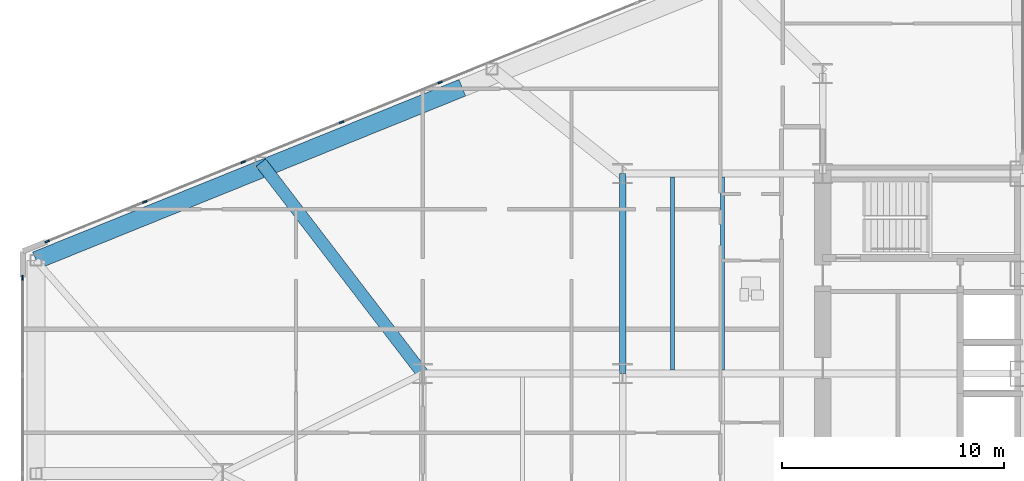
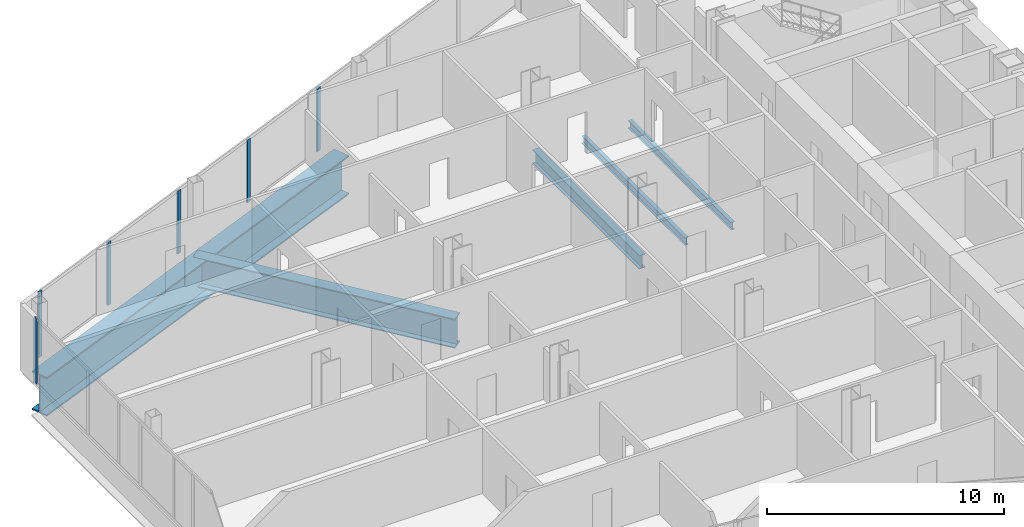
# One storey, part 7 of 26: 6 members, 5 beams, 2 elements without a shape of their own.
"""IFC4 building model written with IfcOpenShell, lengths in metres."""

from ifc_helpers import new_model, si_unit, direction, frame, origin, origin_2d, place, context, subcontext, project, spatial, rectangle, i_section, extrude, source, transform, mapped, material, layer, layer_set, material_profile, profile_set, type_object, type_shapes, element, aggregate, save


model = new_model("IFC4")

# Units and contexts
model_context = context("Model", 3, precision=1e-05, world=origin(), true_north=direction((0.0, 1.0)))
body_context = subcontext(model_context, "Body", "Model", "MODEL_VIEW")
ifc_project = project(units=[si_unit("LENGTHUNIT", "METRE"), si_unit("AREAUNIT", "SQUARE_METRE"), si_unit("VOLUMEUNIT", "CUBIC_METRE"), si_unit("PLANEANGLEUNIT", "RADIAN"), si_unit("MASSUNIT", "GRAM", prefix="KILO")], contexts=[model_context])

# Site, building, storey
site_placement = place(None, origin())
site = spatial("IfcSite", under=ifc_project, at=site_placement, CompositionType="ELEMENT")
building_placement = place(site_placement, origin())
building = spatial("IfcBuilding", under=site, at=building_placement, Name="Seokmaru Belvedere", CompositionType="ELEMENT")
storey_placement = place(building_placement, frame((0.0, 0.0, 18.89990234375)))
storey = spatial("IfcBuildingStorey", under=building, at=storey_placement, Name="L04", CompositionType="ELEMENT", Elevation=18.89990234375)

# Beams
ifc_material_1 = material(Name="Steel SM355 (355 MPa)", Category="steel")
ifc_material_profile_1 = material_profile(ifc_material_1, i_section(OverallWidth=0.300048828125, OverallDepth=0.699951171875, WebThickness=0.012939453125, FlangeThickness=0.02392578125, at=origin_2d()), Name="H-700x300x13x24")
ifc_profile_set_1 = profile_set([ifc_material_profile_1], Name="Steel SM355 (355 MPa)")
beam_type_1 = type_object("IfcBeamType", Name="Primary Floor Girder H-700", PredefinedType="BEAM", material=ifc_profile_set_1)
shared_shape_1 = source(origin(), body_context, "Body", "SweptSolid", [
    extrude(i_section(OverallWidth=0.300048828125, OverallDepth=0.699951171875, WebThickness=0.012939453125, FlangeThickness=0.02392578125, at=origin_2d()), origin(), (0.0, 0.0, 1.0), 9.0),
])
type_shapes(beam_type_1, [shared_shape_1])
beam_1_placement = place(storey_placement, frame((-45.5, 4.5, -0.56982421875), z_axis=(0.0, 1.0, 0.0), x_axis=(-1.0, 0.0, 0.0)))
element("IfcBeam", 1, at=beam_1_placement, inside=storey, type_object=beam_type_1, Name="L04 W Interior Grid Girder 3", PredefinedType="BEAM", context=body_context, shape_type="MappedRepresentation", body=[
    mapped(shared_shape_1, transform((0.0, 0.0, 0.0), scale=1.0)),
])
ifc_material_profile_2 = material_profile(ifc_material_1, i_section(OverallWidth=0.18505859375, OverallDepth=0.389892578125, WebThickness=0.008056640625, FlangeThickness=0.011962890625, at=origin_2d()), Name="H-390x185x8x12")
ifc_profile_set_2 = profile_set([ifc_material_profile_2], Name="Steel SM355 (355 MPa)")
beam_type_2 = type_object("IfcBeamType", Name="Secondary Floor Joist H-350", PredefinedType="JOIST", material=ifc_profile_set_2)
shared_shape_2 = source(origin(), body_context, "Body", "SweptSolid", [
    extrude(i_section(OverallWidth=0.18505859375, OverallDepth=0.389892578125, WebThickness=0.008056640625, FlangeThickness=0.011962890625, at=origin_2d()), origin(), (0.0, 0.0, 1.0), 8.68994140625),
])
type_shapes(beam_type_2, [shared_shape_2])
for number, where, z_axis, x_axis, name in (
    (2, (-43.25, 4.655029296875, -0.414794921875), (0.0, 1.0, 0.0), (-1.0, 0.0, 0.0), "L04 W Wing Inner Secondary Joist 2"),
    (3, (-41.0, 4.655029296875, -0.414794921875), (0.0, 1.0, 0.0), (-1.0, 0.0, 0.0), "L04 W Secondary Floor Joist 3"),
):
    element("IfcBeam", number, at=place(storey_placement, frame(where, z_axis=z_axis, x_axis=x_axis)), inside=storey, type_object=beam_type_2, Name=name, PredefinedType="JOIST", context=body_context, shape_type="MappedRepresentation", body=[
        mapped(shared_shape_2, transform((0.0, 0.0, 0.0), scale=1.0)),
    ])
ifc_material_2 = material(Name="Steel HSA650 (650 MPa)", Category="steel")
ifc_material_profile_3 = material_profile(ifc_material_2, i_section(OverallWidth=0.800048828125, OverallDepth=2.0, WebThickness=0.0400390625, FlangeThickness=0.070068359375, at=origin_2d()), Name="BH-2000x800x40x70")
ifc_profile_set_3 = profile_set([ifc_material_profile_3], Name="Steel HSA650 (650 MPa)")
beam_type_3 = type_object("IfcBeamType", Name="Sky-Gate Transfer Truss Chord Girder BH-2000", PredefinedType="BEAM", material=ifc_profile_set_3)
shared_shape_3 = source(origin(), body_context, "Body", "SweptSolid", [
    extrude(i_section(OverallWidth=0.800048828125, OverallDepth=2.0, WebThickness=0.0400390625, FlangeThickness=0.070068359375, at=origin_2d()), origin(), (0.0, 0.0, 1.0), 20.6962890625),
])
type_shapes(beam_type_3, [shared_shape_3])
beam_2_placement = place(storey_placement, frame((-52.715576171875, 17.360595703125, -1.219970703125), z_axis=(-0.92695003666, -0.37518479385, 0.0), x_axis=(0.37518479385, -0.92695003666, 0.0)))
element("IfcBeam", 4, at=beam_2_placement, inside=storey, type_object=beam_type_3, Name="L04 W Podium Flank Transfer Girder N-B", PredefinedType="BEAM", context=body_context, shape_type="MappedRepresentation", body=[
    mapped(shared_shape_3, transform((0.0, 0.0, 0.0), scale=1.0)),
])
ifc_material_profile_4 = material_profile(ifc_material_2, i_section(OverallWidth=0.550048828125, OverallDepth=1.5, WebThickness=0.028076171875, FlangeThickness=0.044921875, at=origin_2d()), Name="BH-1500x550x28x45")
ifc_profile_set_4 = profile_set([ifc_material_profile_4], Name="Steel HSA650 (650 MPa)")
beam_type_4 = type_object("IfcBeamType", Name="Setback Transfer Girder BH-1500", PredefinedType="BEAM", material=ifc_profile_set_4)
shared_shape_4 = source(origin(), body_context, "Body", "SweptSolid", [
    extrude(i_section(OverallWidth=0.550048828125, OverallDepth=1.5, WebThickness=0.028076171875, FlangeThickness=0.044921875, at=origin_2d()), origin(), (0.0, 0.0, 1.0), 11.96337890625),
])
type_shapes(beam_type_4, [shared_shape_4])
beam_3_placement = place(storey_placement, frame((-61.779052734375, 13.994140625, -0.969970703125), z_axis=(0.608442682624, -0.793597821294, 0.0), x_axis=(0.793597821294, 0.608442682624, 0.0)))
element("IfcBeam", 5, at=beam_3_placement, inside=storey, type_object=beam_type_4, Name="L04 W Flank Radial Floor Girder N-3", PredefinedType="BEAM", context=body_context, shape_type="MappedRepresentation", body=[
    mapped(shared_shape_4, transform((0.0, 0.0, 0.0), scale=1.0)),
])

# Curtain wall, member
ifc_material_3 = material(Name="Bronze Triple Insulating Glass", Category="glass")
ifc_layer = layer(ifc_material_3, 0.2099609375)
ifc_layer_set = layer_set([ifc_layer], Name="Bronze Triple Insulating Glass")
curtain_wall_type = type_object("IfcCurtainWallType", Name="Low-Rise Faceted Crystal Curtain Wall System CW-2", PredefinedType="NOTDEFINED", material=ifc_layer_set)
curtain_wall_1_placement = place(storey_placement, origin())
curtain_wall_1 = element("IfcCurtainWall", 6, at=curtain_wall_1_placement, inside=storey, type_object=curtain_wall_type, Name="L04 Curtain Wall WF3", PredefinedType="NOTDEFINED")
ifc_material_4 = material(Name="Anodised Bronze Aluminium", Category="aluminium")
ifc_material_profile_5 = material_profile(ifc_material_4, rectangle(XDim=0.074951171875, YDim=0.2099609375, at=origin_2d()), Name="CW-M-75x210")
ifc_profile_set_5 = profile_set([ifc_material_profile_5], Name="Anodised Bronze Aluminium")
member_type = type_object("IfcMemberType", Name="Bronze Unitised Mullion 75x210", PredefinedType="MULLION", material=ifc_profile_set_5)
shared_shape_5 = source(origin(), body_context, "Body", "SweptSolid", [
    extrude(rectangle(XDim=0.074951171875, YDim=0.2099609375, at=origin_2d()), origin(), (0.0, 0.0, 1.0), 3.380126953125),
])
member_1_placement = place(storey_placement, frame((-71.399169921875, 10.445556640625, 0.0), z_axis=(0.0, 0.0, 1.0), x_axis=(0.375192321888, -0.926946989637, 0.0)))
member_1 = element("IfcMember", 7, at=member_1_placement, type_object=member_type, Name="CW:L04:WF3 Mullion 10", PredefinedType="MULLION", context=body_context, shape_type="MappedRepresentation", body=[
    mapped(shared_shape_5, transform((0.0, 0.0, 0.0), scale=1.0)),
])

curtain_wall_2_placement = place(storey_placement, origin())
curtain_wall_2 = element("IfcCurtainWall", 8, at=curtain_wall_2_placement, inside=storey, type_object=curtain_wall_type, Name="L04 Curtain Wall WF4", PredefinedType="NOTDEFINED")
member_2_placement = place(storey_placement, frame((-72.5, 8.8125, 0.0), z_axis=(0.0, 0.0, 1.0), x_axis=(1.0, 0.0, 0.0)))
member_2 = element("IfcMember", 9, at=member_2_placement, type_object=member_type, Name="CW:L04:WF4 Mullion 1", PredefinedType="MULLION", context=body_context, shape_type="MappedRepresentation", body=[
    mapped(shared_shape_5, transform((0.0, 0.0, 0.0), scale=1.0)),
])
aggregate(curtain_wall_2, [member_2])

# Member
shared_shape_6 = source(origin(), body_context, "Body", "SweptSolid", [
    extrude(rectangle(XDim=0.074951171875, YDim=0.2099609375, at=origin_2d()), origin(), (0.0, 0.0, 1.0), 3.239990234375),
])
type_shapes(member_type, [shared_shape_5, shared_shape_6])
member_3_placement = place(storey_placement, frame((-53.71484375, 17.603515625, 0.070068359375), z_axis=(0.0, 0.0, 1.0), x_axis=(0.375192321888, -0.926946989637, 0.0)))
member_3 = element("IfcMember", 10, at=member_3_placement, type_object=member_type, Name="CW:L04:WF3 Mullion 6", PredefinedType="MULLION", context=body_context, shape_type="MappedRepresentation", body=[
    mapped(shared_shape_6, transform((0.0, 0.0, 0.0), scale=1.0)),
])

member_4_placement = place(storey_placement, frame((-58.144775390625, 15.810546875, 0.070068359375), z_axis=(0.0, 0.0, 1.0), x_axis=(0.375192321888, -0.926946989637, 0.0)))
member_4 = element("IfcMember", 11, at=member_4_placement, type_object=member_type, Name="CW:L04:WF3 Mullion 7", PredefinedType="MULLION", context=body_context, shape_type="MappedRepresentation", body=[
    mapped(shared_shape_6, transform((0.0, 0.0, 0.0), scale=1.0)),
])

member_5_placement = place(storey_placement, frame((-62.574462890625, 14.017578125, 0.070068359375), z_axis=(0.0, 0.0, 1.0), x_axis=(0.375192321888, -0.926946989637, 0.0)))
member_5 = element("IfcMember", 12, at=member_5_placement, type_object=member_type, Name="CW:L04:WF3 Mullion 8", PredefinedType="MULLION", context=body_context, shape_type="MappedRepresentation", body=[
    mapped(shared_shape_6, transform((0.0, 0.0, 0.0), scale=1.0)),
])

member_6_placement = place(storey_placement, frame((-67.004150390625, 12.224609375, 0.070068359375), z_axis=(0.0, 0.0, 1.0), x_axis=(0.375192321888, -0.926946989637, 0.0)))
member_6 = element("IfcMember", 13, at=member_6_placement, type_object=member_type, Name="CW:L04:WF3 Mullion 9", PredefinedType="MULLION", context=body_context, shape_type="MappedRepresentation", body=[
    mapped(shared_shape_6, transform((0.0, 0.0, 0.0), scale=1.0)),
])

aggregate(curtain_wall_1, [member_3, member_4, member_5, member_6, member_1])

save(model, "model.ifc")
